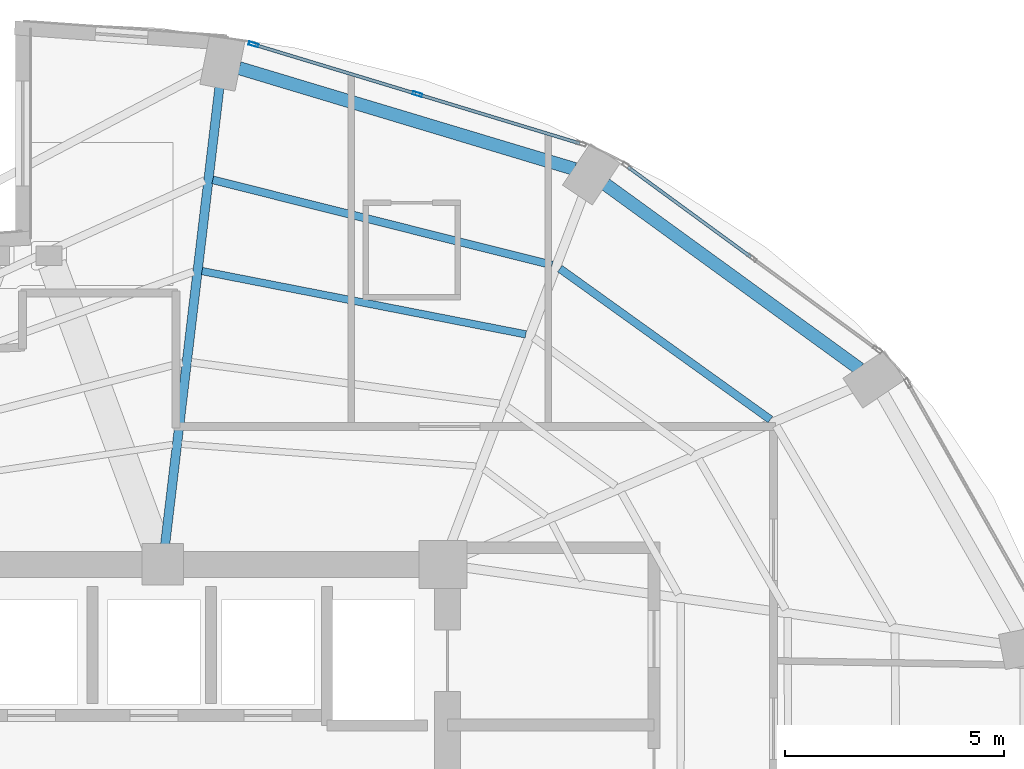
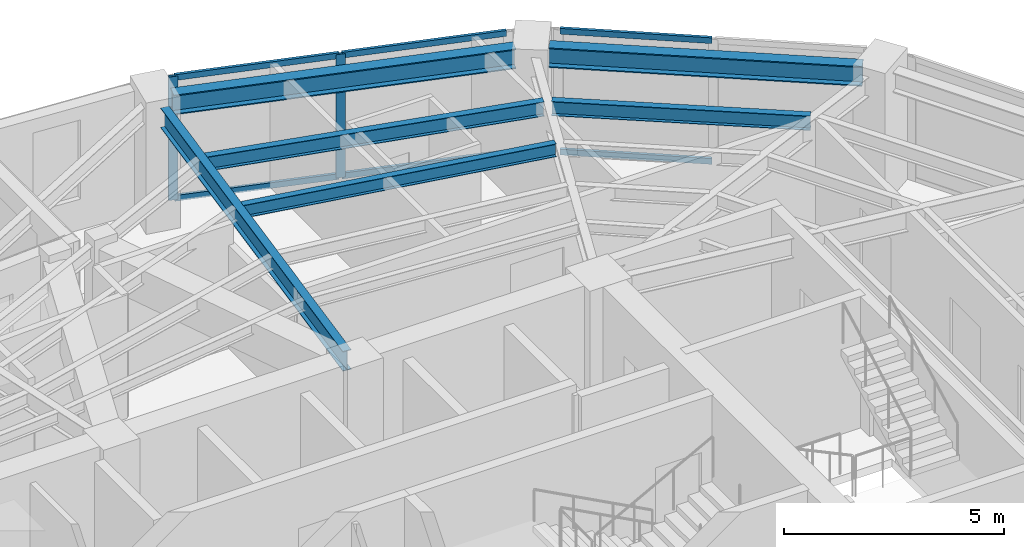
# One storey, part 13 of 20: 8 members, 6 beams, 2 elements without a shape of their own.
"""IFC4 building model written with IfcOpenShell, lengths in metres."""

from ifc_helpers import new_model, si_unit, direction, frame, origin, origin_2d, place, context, subcontext, project, spatial, hollow_rectangle, i_section, extrude, material, layer, layer_set, material_profile, profile_set, type_object, element, aggregate, save


model = new_model("IFC4")

# Units and contexts
model_context = context("Model", 3, precision=1e-05, world=origin(), true_north=direction((0.0, 1.0)))
body_context = subcontext(model_context, "Body", "Model", "MODEL_VIEW")
ifc_project = project(units=[si_unit("LENGTHUNIT", "METRE"), si_unit("AREAUNIT", "SQUARE_METRE"), si_unit("VOLUMEUNIT", "CUBIC_METRE"), si_unit("PLANEANGLEUNIT", "RADIAN"), si_unit("MASSUNIT", "GRAM", prefix="KILO")], contexts=[model_context])

# Site, building, storey
site_placement = place(None, origin())
site = spatial("IfcSite", under=ifc_project, at=site_placement, CompositionType="ELEMENT")
building_placement = place(site_placement, origin())
building = spatial("IfcBuilding", under=site, at=building_placement, Name="Lazwardi Medical Tower", CompositionType="ELEMENT")
storey_placement = place(building_placement, frame((0.0, 0.0, 141.93603515625)))
storey = spatial("IfcBuildingStorey", under=building, at=storey_placement, Name="L36", CompositionType="ELEMENT", Elevation=141.93603515625)

# Beams
ifc_material_1 = material(Name="Steel S355", Category="steel")
ifc_material_profile_1 = material_profile(ifc_material_1, i_section(OverallWidth=0.300048828125, OverallDepth=0.550048828125, WebThickness=0.014892578125, FlangeThickness=0.029052734375, at=origin_2d()), Name="HEB 550")
ifc_profile_set_1 = profile_set([ifc_material_profile_1], Name="Steel S355")
beam_type_1 = type_object("IfcBeamType", Name="BM-RB-Z3", PredefinedType="BEAM", material=ifc_profile_set_1)
beam_1_placement = place(storey_placement, frame((55.11181640625, 40.06591796875, 3.153076171875), z_axis=(-0.809127570774, 0.587633026824, 0.0), x_axis=(-0.587633026824, -0.809127570774, 0.0)))
element("IfcBeam", 1, at=beam_1_placement, inside=storey, type_object=beam_type_1, Name="Ring beam RB-04 B06 L36", PredefinedType="BEAM", context=body_context, shape_type="SweptSolid", body=[
    extrude(i_section(OverallWidth=0.300048828125, OverallDepth=0.550048828125, WebThickness=0.014892578125, FlangeThickness=0.029052734375, at=origin_2d()), origin(), (0.0, 0.0, 1.0), 7.170166015625),
])
beam_2_placement = place(storey_placement, frame((48.603515625, 44.62939453125, 3.153076171875), z_axis=(-0.957616873483, 0.288045002771, 0.0), x_axis=(-0.288045002771, -0.957616873483, 0.0)))
element("IfcBeam", 2, at=beam_2_placement, inside=storey, type_object=beam_type_1, Name="Ring beam RB-04 B07 L36", PredefinedType="BEAM", context=body_context, shape_type="SweptSolid", body=[
    extrude(i_section(OverallWidth=0.300048828125, OverallDepth=0.550048828125, WebThickness=0.014892578125, FlangeThickness=0.029052734375, at=origin_2d()), origin(), (0.0, 0.0, 1.0), 7.99951171875),
])
ifc_material_profile_2 = material_profile(ifc_material_1, i_section(OverallWidth=0.2099609375, OverallDepth=0.550048828125, WebThickness=0.010986328125, FlangeThickness=0.01708984375, at=origin_2d()), Name="IPE 550")
ifc_profile_set_2 = profile_set([ifc_material_profile_2], Name="Steel S355")
beam_type_2 = type_object("IfcBeamType", Name="BM-RG-W2", PredefinedType="BEAM", material=ifc_profile_set_2)
beam_3_placement = place(storey_placement, frame((40.494140625, 46.49267578125, 3.153076171875), z_axis=(-0.117968004211, -0.993017396616, 0.0), x_axis=(0.993017396616, -0.117968004211, 0.0)))
element("IfcBeam", 3, at=beam_3_placement, inside=storey, type_object=beam_type_2, Name="Radial girder RG-03 R08 L36", PredefinedType="BEAM", context=body_context, shape_type="SweptSolid", body=[
    extrude(i_section(OverallWidth=0.2099609375, OverallDepth=0.550048828125, WebThickness=0.010986328125, FlangeThickness=0.01708984375, at=origin_2d()), origin(), (0.0, 0.0, 1.0), 10.50927734375),
])
ifc_material_profile_3 = material_profile(ifc_material_1, i_section(OverallWidth=0.179931640625, OverallDepth=0.39990234375, WebThickness=0.008544921875, FlangeThickness=0.013427734375, at=origin_2d()), Name="IPE 400")
ifc_profile_set_3 = profile_set([ifc_material_profile_3], Name="Steel S355")
beam_type_3 = type_object("IfcBeamType", Name="BM-SJ-01", PredefinedType="JOIST", material=ifc_profile_set_3)
beam_4_placement = place(storey_placement, frame((53.073974609375, 38.908203125, 3.22802734375), z_axis=(-0.812602017757, 0.582818977675, 0.0), x_axis=(-0.582818977675, -0.812602017757, 0.0)))
element("IfcBeam", 4, at=beam_4_placement, inside=storey, type_object=beam_type_3, Name="Secondary joist SJ-01 R1 B06 L36", PredefinedType="JOIST", context=body_context, shape_type="SweptSolid", body=[
    extrude(i_section(OverallWidth=0.179931640625, OverallDepth=0.39990234375, WebThickness=0.008544921875, FlangeThickness=0.013427734375, at=origin_2d()), origin(), (0.0, 0.0, 1.0), 5.91259765625),
])
beam_5_placement = place(storey_placement, frame((48.091064453125, 42.43701171875, 3.22802734375), z_axis=(-0.969933596942, 0.243369713652, 0.0), x_axis=(-0.243369713652, -0.969933596942, 0.0)))
element("IfcBeam", 5, at=beam_5_placement, inside=storey, type_object=beam_type_3, Name="Secondary joist SJ-01 R1 B07 L36", PredefinedType="JOIST", context=body_context, shape_type="SweptSolid", body=[
    extrude(i_section(OverallWidth=0.179931640625, OverallDepth=0.39990234375, WebThickness=0.008544921875, FlangeThickness=0.013427734375, at=origin_2d()), origin(), (0.0, 0.0, 1.0), 7.98828125),
])
ifc_material_profile_4 = material_profile(ifc_material_1, i_section(OverallWidth=0.169921875, OverallDepth=0.360107421875, WebThickness=0.008056640625, FlangeThickness=0.0126953125, at=origin_2d()), Name="IPE 360")
ifc_profile_set_4 = profile_set([ifc_material_profile_4], Name="Steel S355")
beam_type_4 = type_object("IfcBeamType", Name="BM-SJ-02", PredefinedType="JOIST", material=ifc_profile_set_4)
beam_6_placement = place(storey_placement, frame((47.490478515625, 40.853515625, 3.248046875), z_axis=(-0.98141534692, 0.191895588353, 0.0), x_axis=(-0.191895588353, -0.98141534692, 0.0)))
element("IfcBeam", 6, at=beam_6_placement, inside=storey, type_object=beam_type_4, Name="Secondary joist SJ-02 R2 B07 L36", PredefinedType="JOIST", context=body_context, shape_type="SweptSolid", body=[
    extrude(i_section(OverallWidth=0.169921875, OverallDepth=0.360107421875, WebThickness=0.008056640625, FlangeThickness=0.0126953125, at=origin_2d()), origin(), (0.0, 0.0, 1.0), 7.534423828125),
])

# Curtain wall, members
ifc_material_2 = material(Name="Anodised bronze aluminium and solar control glazing", Category="aluminium")
ifc_layer = layer(ifc_material_2, 0.195068359375)
ifc_layer_set = layer_set([ifc_layer], Name="Anodised bronze aluminium and solar control glazing")
curtain_wall_type = type_object("IfcCurtainWallType", Name="CW-SYS-03", PredefinedType="NOTDEFINED", material=ifc_layer_set)
curtain_wall_1_placement = place(storey_placement, origin())
curtain_wall_1 = element("IfcCurtainWall", 7, at=curtain_wall_1_placement, inside=storey, type_object=curtain_wall_type, Name="L36 Unitised bronze curtain wall CW-03", PredefinedType="NOTDEFINED")
ifc_material_3 = material(Name="Anodised bronze aluminium", Category="aluminium")
ifc_material_profile_5 = material_profile(ifc_material_3, hollow_rectangle(XDim=0.074951171875, YDim=0.219970703125, WallThickness=0.00390625, at=origin_2d()), Name="ALU-MULLION 220x75x4")
ifc_profile_set_5 = profile_set([ifc_material_profile_5], Name="Anodised bronze aluminium")
member_type_1 = type_object("IfcMemberType", Name="CW-MUL-01", PredefinedType="MULLION", material=ifc_profile_set_5)
member_1_placement = place(storey_placement, frame((45.01513671875, 46.338623046875, 0.0), z_axis=(0.0, 0.0, 1.0), x_axis=(-0.290280785441, -0.956941516292, 0.0)))
member_1 = element("IfcMember", 8, at=member_1_placement, type_object=member_type_1, Name="CW-03 mullion 2", PredefinedType="MULLION", context=body_context, shape_type="SweptSolid", body=[
    extrude(hollow_rectangle(XDim=0.074951171875, YDim=0.219970703125, WallThickness=0.00390625, at=origin_2d()), origin(), (0.0, 0.0, 1.0), 3.427978515625),
])
member_2_placement = place(storey_placement, frame((41.27197265625, 47.47412109375, 0.0), z_axis=(0.0, 0.0, 1.0), x_axis=(-0.290280785441, -0.956941516292, 0.0)))
member_2 = element("IfcMember", 9, at=member_2_placement, type_object=member_type_1, Name="CW-03 mullion 3", PredefinedType="MULLION", context=body_context, shape_type="SweptSolid", body=[
    extrude(hollow_rectangle(XDim=0.074951171875, YDim=0.219970703125, WallThickness=0.00390625, at=origin_2d()), origin(), (0.0, 0.0, 1.0), 3.427978515625),
])

curtain_wall_2_placement = place(storey_placement, origin())
curtain_wall_2 = element("IfcCurtainWall", 10, at=curtain_wall_2_placement, inside=storey, type_object=curtain_wall_type, Name="L36 Unitised bronze curtain wall CW-03", PredefinedType="NOTDEFINED")
ifc_material_profile_6 = material_profile(ifc_material_3, hollow_rectangle(XDim=0.074951171875, YDim=0.159912109375, WallThickness=0.00390625, at=origin_2d()), Name="ALU-TRANSOM 160x75x4")
ifc_profile_set_6 = profile_set([ifc_material_profile_6], Name="Anodised bronze aluminium")
member_type_2 = type_object("IfcMemberType", Name="CW-TRN-01", PredefinedType="USERDEFINED", material=ifc_profile_set_6)
member_3_placement = place(storey_placement, frame((52.62744140625, 42.62109375, 0.037353515625), z_axis=(-0.806807161185, 0.590814864962, 0.0), x_axis=(-0.590814864962, -0.806807161185, 0.0)))
member_3 = element("IfcMember", 11, at=member_3_placement, type_object=member_type_2, Name="CW-03 transom 2.1", ObjectType="TRANSOM", PredefinedType="USERDEFINED", context=body_context, shape_type="SweptSolid", body=[
    extrude(hollow_rectangle(XDim=0.074951171875, YDim=0.159912109375, WallThickness=0.00390625, at=origin_2d()), origin(), (0.0, 0.0, 1.0), 3.472412109375),
])
member_4_placement = place(storey_placement, frame((52.62744140625, 42.62109375, 3.390380859375), z_axis=(-0.806807161185, 0.590814864962, 0.0), x_axis=(-0.590814864962, -0.806807161185, 0.0)))
member_4 = element("IfcMember", 12, at=member_4_placement, type_object=member_type_2, Name="CW-03 transom 2.2", ObjectType="TRANSOM", PredefinedType="USERDEFINED", context=body_context, shape_type="SweptSolid", body=[
    extrude(hollow_rectangle(XDim=0.074951171875, YDim=0.159912109375, WallThickness=0.00390625, at=origin_2d()), origin(), (0.0, 0.0, 1.0), 3.472412109375),
])
aggregate(curtain_wall_2, [member_3, member_4])

# Member
member_5_placement = place(storey_placement, frame((48.72216796875, 45.214111328125, 0.037353515625), z_axis=(-0.956930154175, 0.290318239233, 0.0), x_axis=(-0.290318239233, -0.956930154175, 0.0)))
member_5 = element("IfcMember", 13, at=member_5_placement, type_object=member_type_2, Name="CW-03 transom 1.1", ObjectType="TRANSOM", PredefinedType="USERDEFINED", context=body_context, shape_type="SweptSolid", body=[
    extrude(hollow_rectangle(XDim=0.074951171875, YDim=0.159912109375, WallThickness=0.00390625, at=origin_2d()), origin(), (0.0, 0.0, 1.0), 3.83642578125),
])

member_6_placement = place(storey_placement, frame((48.72216796875, 45.214111328125, 3.390380859375), z_axis=(-0.956930154175, 0.290318239233, 0.0), x_axis=(-0.290318239233, -0.956930154175, 0.0)))
member_6 = element("IfcMember", 14, at=member_6_placement, type_object=member_type_2, Name="CW-03 transom 1.2", ObjectType="TRANSOM", PredefinedType="USERDEFINED", context=body_context, shape_type="SweptSolid", body=[
    extrude(hollow_rectangle(XDim=0.074951171875, YDim=0.159912109375, WallThickness=0.00390625, at=origin_2d()), origin(), (0.0, 0.0, 1.0), 3.83642578125),
])

member_7_placement = place(storey_placement, frame((44.979248046875, 46.349609375, 0.037353515625), z_axis=(-0.95695319357, 0.290242287264, 0.0), x_axis=(-0.290242287264, -0.95695319357, 0.0)))
member_7 = element("IfcMember", 15, at=member_7_placement, type_object=member_type_2, Name="CW-03 transom 2.1", ObjectType="TRANSOM", PredefinedType="USERDEFINED", context=body_context, shape_type="SweptSolid", body=[
    extrude(hollow_rectangle(XDim=0.074951171875, YDim=0.159912109375, WallThickness=0.00390625, at=origin_2d()), origin(), (0.0, 0.0, 1.0), 3.83642578125),
])

member_8_placement = place(storey_placement, frame((44.979248046875, 46.349609375, 3.390380859375), z_axis=(-0.95695319357, 0.290242287264, 0.0), x_axis=(-0.290242287264, -0.95695319357, 0.0)))
member_8 = element("IfcMember", 16, at=member_8_placement, type_object=member_type_2, Name="CW-03 transom 2.2", ObjectType="TRANSOM", PredefinedType="USERDEFINED", context=body_context, shape_type="SweptSolid", body=[
    extrude(hollow_rectangle(XDim=0.074951171875, YDim=0.159912109375, WallThickness=0.00390625, at=origin_2d()), origin(), (0.0, 0.0, 1.0), 3.83642578125),
])

aggregate(curtain_wall_1, [member_1, member_2, member_5, member_6, member_7, member_8])

save(model, "model.ifc")
